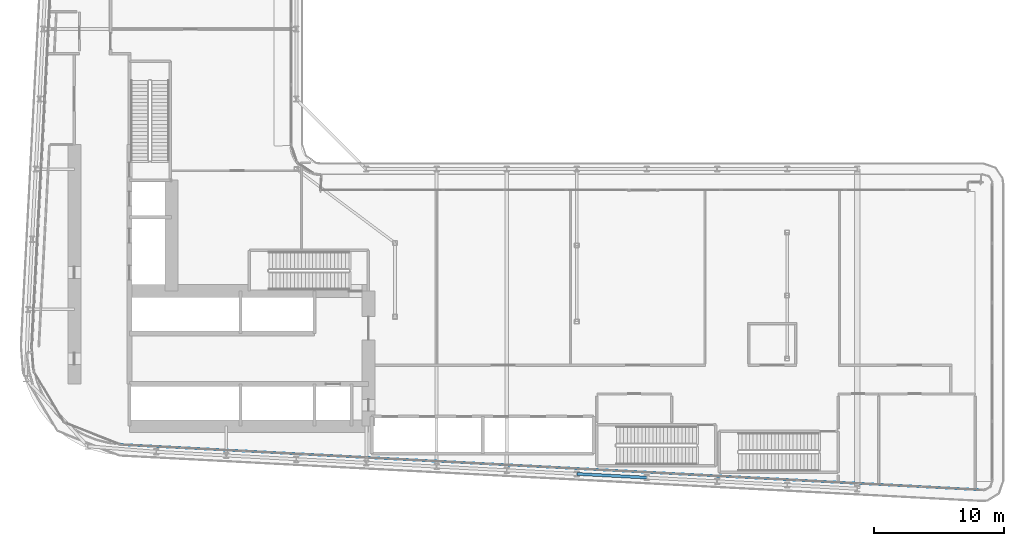
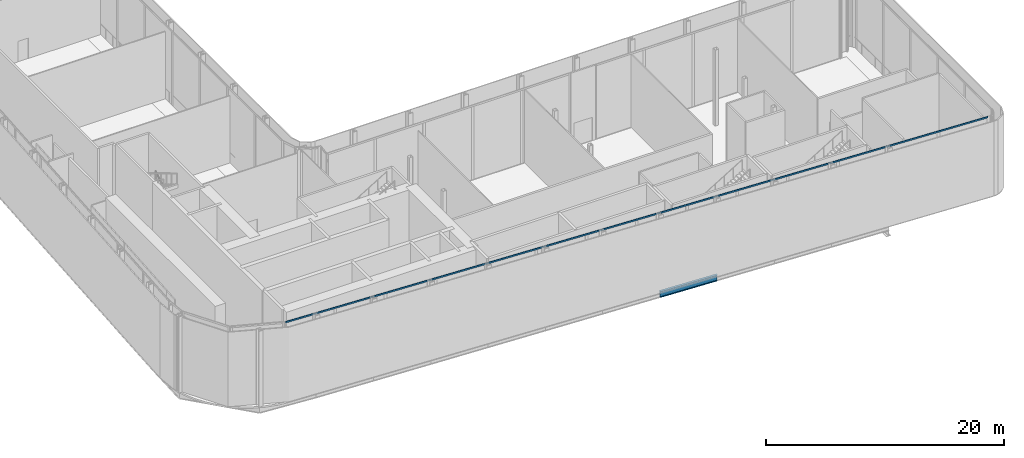
# One storey, part 6 of 36: 1 beam, 1 member, 1 element without a shape of its own.
"""IFC4 building model written with IfcOpenShell, lengths in metres."""

from ifc_helpers import new_model, si_unit, direction, frame, origin, origin_2d, place, context, subcontext, project, spatial, rectangle, i_section, extrude, material, layer, layer_set, material_profile, profile_set, type_object, element, aggregate, save


model = new_model("IFC4")

# Units and contexts
model_context = context("Model", 3, precision=1e-05, world=origin(), true_north=direction((0.0, 1.0)))
body_context = subcontext(model_context, "Body", "Model", "MODEL_VIEW")
ifc_project = project(units=[si_unit("LENGTHUNIT", "METRE"), si_unit("AREAUNIT", "SQUARE_METRE"), si_unit("VOLUMEUNIT", "CUBIC_METRE"), si_unit("PLANEANGLEUNIT", "RADIAN"), si_unit("MASSUNIT", "GRAM", prefix="KILO")], contexts=[model_context])

# Site, building, storey
site_placement = place(None, origin())
site = spatial("IfcSite", under=ifc_project, at=site_placement, CompositionType="ELEMENT")
building_placement = place(site_placement, origin())
building = spatial("IfcBuilding", under=site, at=building_placement, Name="Kheshtan School and Residences Tower", CompositionType="ELEMENT")
storey_placement = place(building_placement, frame((0.0, 0.0, 81.199951171875)))
storey = spatial("IfcBuildingStorey", under=building, at=storey_placement, Name="L19", CompositionType="ELEMENT", Elevation=81.199951171875)

# Beam
ifc_material_1 = material(Name="Steel ASTM A992 Grade 50", Category="steel")
ifc_material_profile_1 = material_profile(ifc_material_1, i_section(OverallWidth=0.22998046875, OverallDepth=0.616943359375, WebThickness=0.01318359375, FlangeThickness=0.022216796875, FilletRadius=0.0185546875, at=origin_2d()), Name="W610x140")
ifc_profile_set_1 = profile_set([ifc_material_profile_1], Name="Steel ASTM A992 Grade 50")
beam_type = type_object("IfcBeamType", Name="Beam SP1 W610x140 ASTM A992 Grade 50", PredefinedType="BEAM", material=ifc_profile_set_1)
beam_placement = place(storey_placement, frame((74.60009765625, 21.843017578125, -0.45849609375), z_axis=(-0.998620571751, 0.05250670125, 0.0), x_axis=(-0.05250670125, -0.998620571751, 0.0)))
element("IfcBeam", 1, at=beam_placement, inside=storey, type_object=beam_type, Name="Spandrel beam C013-C014", PredefinedType="BEAM", context=body_context, shape_type="SweptSolid", body=[
    extrude(i_section(OverallWidth=0.22998046875, OverallDepth=0.616943359375, WebThickness=0.01318359375, FlangeThickness=0.022216796875, FilletRadius=0.0185546875, at=origin_2d()), origin(), (0.0, 0.0, 1.0), 5.40771484375),
])

# Curtain wall, member
ifc_material_2 = material(Name="Clear low-e glass in thermally broken aluminium frame", Category="aluminium")
ifc_layer = layer(ifc_material_2, 0.25)
ifc_layer_set = layer_set([ifc_layer], Name="Curtain wall CW-K")
curtain_wall_type = type_object("IfcCurtainWallType", Name="Curtain wall CW-K", PredefinedType="NOTDEFINED", material=ifc_layer_set)
curtain_wall_placement = place(storey_placement, origin())
curtain_wall = element("IfcCurtainWall", 2, at=curtain_wall_placement, inside=storey, type_object=curtain_wall_type, Name="Curtain wall CWK14", PredefinedType="NOTDEFINED")
ifc_material_3 = material(Name="Thermally broken aluminium, dark bronze anodised", Category="aluminium")
ifc_material_profile_2 = material_profile(ifc_material_3, rectangle(XDim=0.06005859375, YDim=0.159912109375, at=origin_2d()), Name="CW-K transom 60x160")
ifc_profile_set_2 = profile_set([ifc_material_profile_2], Name="Thermally broken aluminium, dark bronze anodised")
member_type = type_object("IfcMemberType", Name="CW-K transom 60x160", PredefinedType="USERDEFINED", material=ifc_profile_set_2)
member_placement = place(storey_placement, frame((100.372802734375, 20.88623046875, 7.570068359375), z_axis=(-0.998617168494, 0.052571387554, 0.0), x_axis=(-0.052571387554, -0.998617168494, 0.0)))
member = element("IfcMember", 3, at=member_placement, type_object=member_type, Name="CWK14 transom 1", ObjectType="TRANSOM", PredefinedType="USERDEFINED", context=body_context, shape_type="SweptSolid", body=[
    extrude(rectangle(XDim=0.06005859375, YDim=0.159912109375, at=origin_2d()), origin(), (0.0, 0.0, 1.0), 66.343994140625),
])
aggregate(curtain_wall, [member])

save(model, "model.ifc")
